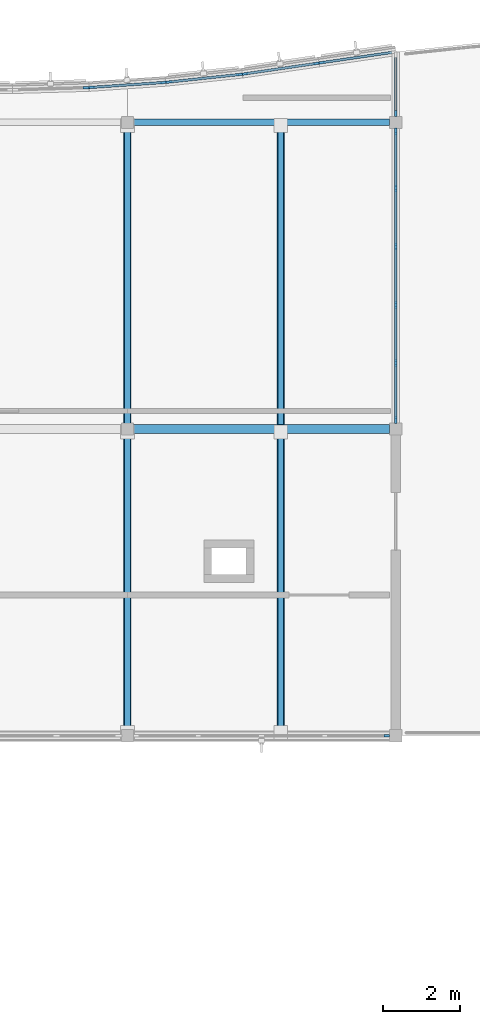
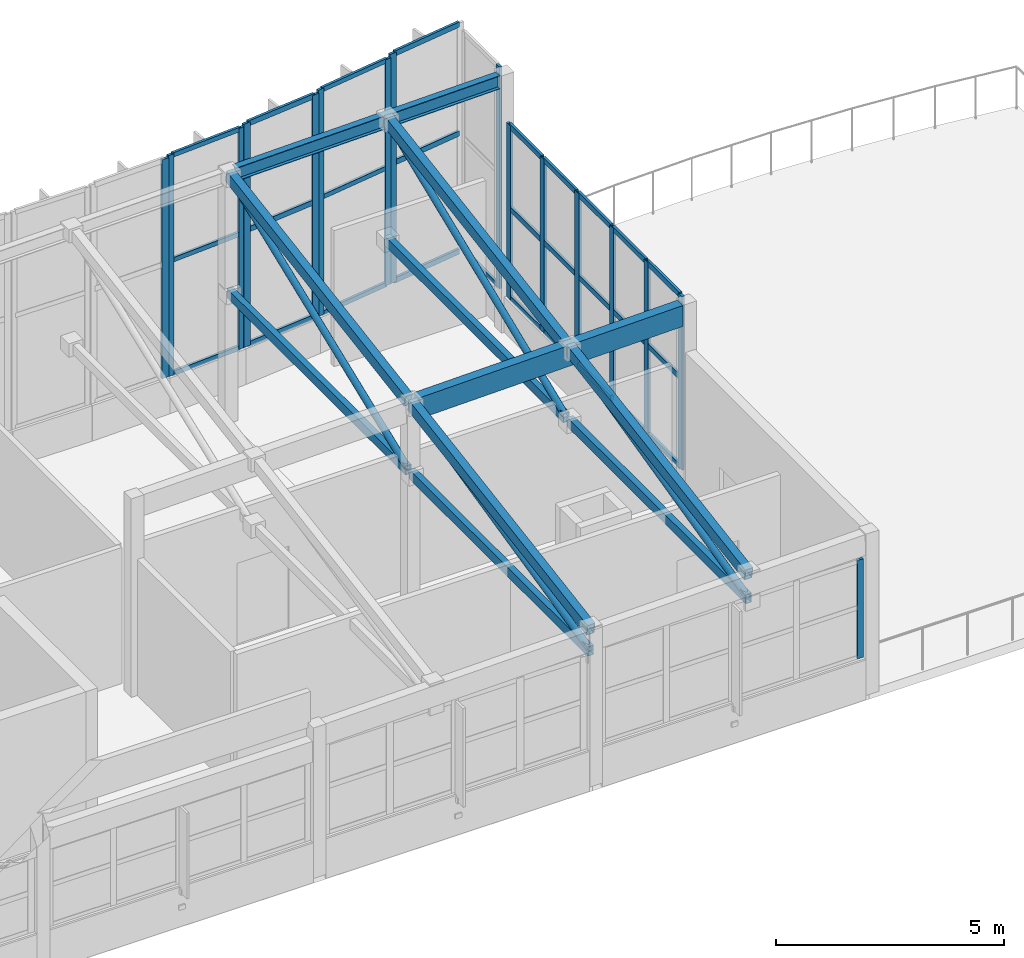
# One storey, part 12 of 33: 56 members, 2 beams, 8 elements without a shape of their own.
"""IFC4 building model written with IfcOpenShell, lengths in metres."""

from ifc_helpers import new_model, si_unit, direction, frame, origin, origin_2d, place, context, subcontext, project, spatial, rectangle, hollow_rectangle, hollow_circle, i_section, extrude, material, layer, layer_set, material_profile, profile_set, type_object, element, aggregate, save


model = new_model("IFC4")

# Units and contexts
model_context = context("Model", 3, precision=1e-05, world=origin(), true_north=direction((0.0, 1.0)))
body_context = subcontext(model_context, "Body", "Model", "MODEL_VIEW")
ifc_project = project(units=[si_unit("LENGTHUNIT", "METRE"), si_unit("AREAUNIT", "SQUARE_METRE"), si_unit("VOLUMEUNIT", "CUBIC_METRE"), si_unit("PLANEANGLEUNIT", "RADIAN"), si_unit("MASSUNIT", "GRAM", prefix="KILO")], contexts=[model_context])

# Site, building, storey
site_placement = place(None, origin())
site = spatial("IfcSite", under=ifc_project, at=site_placement, CompositionType="ELEMENT")
building_placement = place(site_placement, origin())
building = spatial("IfcBuilding", under=site, at=building_placement, Name="Tonlespit Floodbar School", CompositionType="ELEMENT")
storey_placement = place(building_placement, frame((0.0, 0.0, 16.199951171875)))
storey = spatial("IfcBuildingStorey", under=building, at=storey_placement, Name="L04", CompositionType="ELEMENT", Elevation=16.199951171875)

# Beam
ifc_material_1 = material(Name="Glulam GL28h", Category="wood")
ifc_material_profile_1 = material_profile(ifc_material_1, rectangle(XDim=0.239990234375, YDim=0.56005859375, at=origin_2d()), Name="GL 240x560")
ifc_profile_set_1 = profile_set([ifc_material_profile_1], Name="Glulam GL28h")
beam_type_1 = type_object("IfcBeamType", Name="Beam_GL_240x560", PredefinedType="BEAM", material=ifc_profile_set_1)
beam_1_placement = place(storey_placement, frame((141.159912109375, 112.0, 5.15185546875), z_axis=(0.999786121149, 0.0, 0.020681198179), x_axis=(0.0, 1.0, 0.0)))
element("IfcBeam", 1, at=beam_1_placement, inside=storey, type_object=beam_type_1, Name="L04 girder 1296", PredefinedType="BEAM", context=body_context, shape_type="SweptSolid", body=[
    extrude(rectangle(XDim=0.239990234375, YDim=0.56005859375, at=origin_2d()), origin(), (0.0, 0.0, 1.0), 6.681640625),
])

# Members
ifc_material_2 = material(Name="Steel S355", Category="steel")
ifc_material_profile_2 = material_profile(ifc_material_2, hollow_circle(Radius=0.084228515625, WallThickness=0.008056640625, at=origin_2d()), Name="CHS 168.3x8")
ifc_profile_set_2 = profile_set([ifc_material_profile_2], Name="Steel S355")
member_type_1 = type_object("IfcMemberType", Name="Brace_STL_CHS168", PredefinedType="BRACE", material=ifc_profile_set_2)
member_1_placement = place(storey_placement, frame((141.0, 104.1201171875, 3.47998046875), z_axis=(0.0, 0.974724527848, 0.223410149301), x_axis=(-1.0, 0.0, 0.0)))
element("IfcMember", 2, at=member_1_placement, inside=storey, type_object=member_type_1, Name="Northlight truss diagonal web 2-1", PredefinedType="BRACE", context=body_context, shape_type="SweptSolid", body=[
    extrude(hollow_circle(Radius=0.084228515625, WallThickness=0.008056640625, at=origin_2d()), origin(), (0.0, 0.0, 1.0), 7.9609375),
])
member_2_placement = place(storey_placement, frame((141.0, 112.1201171875, 3.47998046875), z_axis=(0.0, 0.930198351499, 0.367057252847), x_axis=(-1.0, 0.0, 0.0)))
element("IfcMember", 3, at=member_2_placement, inside=storey, type_object=member_type_1, Name="Northlight truss diagonal web 2-2", PredefinedType="BRACE", context=body_context, shape_type="SweptSolid", body=[
    extrude(hollow_circle(Radius=0.084228515625, WallThickness=0.008056640625, at=origin_2d()), origin(), (0.0, 0.0, 1.0), 8.342041015625),
])
member_3_placement = place(storey_placement, frame((145.0, 104.1201171875, 3.47998046875), z_axis=(0.0, 0.9724161765, 0.233252609163), x_axis=(-1.0, 0.0, 0.0)))
element("IfcMember", 4, at=member_3_placement, inside=storey, type_object=member_type_1, Name="Northlight truss diagonal web 3-1", PredefinedType="BRACE", context=body_context, shape_type="SweptSolid", body=[
    extrude(hollow_circle(Radius=0.084228515625, WallThickness=0.008056640625, at=origin_2d()), origin(), (0.0, 0.0, 1.0), 7.97998046875),
])
member_4_placement = place(storey_placement, frame((145.0, 112.1201171875, 3.47998046875), z_axis=(0.0, 0.926783987704, 0.375594781828), x_axis=(-1.0, 0.0, 0.0)))
element("IfcMember", 5, at=member_4_placement, inside=storey, type_object=member_type_1, Name="Northlight truss diagonal web 3-2", PredefinedType="BRACE", context=body_context, shape_type="SweptSolid", body=[
    extrude(hollow_circle(Radius=0.084228515625, WallThickness=0.008056640625, at=origin_2d()), origin(), (0.0, 0.0, 1.0), 8.372802734375),
])

# Curtain wall, members
ifc_material_3 = material(Name="Anodised Aluminium", Category="aluminium")
ifc_layer_1 = layer(ifc_material_3, 0.159912109375)
ifc_layer_set_1 = layer_set([ifc_layer_1], Name="Anodised Aluminium")
curtain_wall_type_1 = type_object("IfcCurtainWallType", Name="CurtainWall_1900x5900", PredefinedType="NOTDEFINED", material=ifc_layer_set_1)
curtain_wall_1_placement = place(storey_placement, origin())
curtain_wall_1 = element("IfcCurtainWall", 6, at=curtain_wall_1_placement, inside=storey, type_object=curtain_wall_type_1, Name="L04 unitised curtain wall 0486", PredefinedType="NOTDEFINED")
ifc_material_profile_3 = material_profile(ifc_material_3, rectangle(XDim=0.06494140625, YDim=0.14990234375, at=origin_2d()), Name="ALU M65x150")
ifc_profile_set_3 = profile_set([ifc_material_profile_3], Name="Anodised Aluminium")
member_type_2 = type_object("IfcMemberType", Name="CW_Mullion_65x150", PredefinedType="MULLION", material=ifc_profile_set_3)
member_5_placement = place(storey_placement, frame((140.072265625, 120.91552734375, 0.949951171875), z_axis=(0.0, 0.0, 1.0), x_axis=(-0.067339767311, 0.99773010165, 0.0)))
member_5 = element("IfcMember", 7, at=member_5_placement, type_object=member_type_2, Name="CW-71 mullion 1", PredefinedType="MULLION", context=body_context, shape_type="SweptSolid", body=[
    extrude(rectangle(XDim=0.06494140625, YDim=0.14990234375, at=origin_2d()), origin(), (0.0, 0.0, 1.0), 5.91748046875),
])
member_6_placement = place(storey_placement, frame((141.927734375, 121.040771484375, 0.949951171875), z_axis=(0.0, 0.0, 1.0), x_axis=(-0.067339767311, 0.99773010165, 0.0)))
member_6 = element("IfcMember", 8, at=member_6_placement, type_object=member_type_2, Name="CW-71 mullion 2", PredefinedType="MULLION", context=body_context, shape_type="SweptSolid", body=[
    extrude(rectangle(XDim=0.06494140625, YDim=0.14990234375, at=origin_2d()), origin(), (0.0, 0.0, 1.0), 5.91748046875),
])

ifc_layer_2 = layer(ifc_material_3, 0.159912109375)
ifc_layer_set_2 = layer_set([ifc_layer_2], Name="Anodised Aluminium")
curtain_wall_type_2 = type_object("IfcCurtainWallType", Name="CurtainWall_1950x6050", PredefinedType="NOTDEFINED", material=ifc_layer_set_2)
curtain_wall_2_placement = place(storey_placement, origin())
curtain_wall_2 = element("IfcCurtainWall", 9, at=curtain_wall_2_placement, inside=storey, type_object=curtain_wall_type_2, Name="L04 unitised curtain wall 0488", PredefinedType="NOTDEFINED")
member_7_placement = place(storey_placement, frame((144.07177734375, 121.268798828125, 0.949951171875), z_axis=(0.0, 0.0, 1.0), x_axis=(-0.144248041079, 0.989541561858, 0.0)))
member_7 = element("IfcMember", 10, at=member_7_placement, type_object=member_type_2, Name="CW-73 mullion 1", PredefinedType="MULLION", context=body_context, shape_type="SweptSolid", body=[
    extrude(rectangle(XDim=0.06494140625, YDim=0.14990234375, at=origin_2d()), origin(), (0.0, 0.0, 1.0), 6.055908203125),
])
member_8_placement = place(storey_placement, frame((145.92822265625, 121.53955078125, 0.949951171875), z_axis=(0.0, 0.0, 1.0), x_axis=(-0.144248041079, 0.989541561858, 0.0)))
member_8 = element("IfcMember", 11, at=member_8_placement, type_object=member_type_2, Name="CW-73 mullion 2", PredefinedType="MULLION", context=body_context, shape_type="SweptSolid", body=[
    extrude(rectangle(XDim=0.06494140625, YDim=0.14990234375, at=origin_2d()), origin(), (0.0, 0.0, 1.0), 6.055908203125),
])

# Curtain wall, member
ifc_layer_3 = layer(ifc_material_3, 0.159912109375)
ifc_layer_set_3 = layer_set([ifc_layer_3], Name="Anodised Aluminium")
curtain_wall_type_3 = type_object("IfcCurtainWallType", Name="CurtainWall_1600x5950", PredefinedType="NOTDEFINED", material=ifc_layer_set_3)
curtain_wall_3_placement = place(storey_placement, origin())
curtain_wall_3 = element("IfcCurtainWall", 12, at=curtain_wall_3_placement, inside=storey, type_object=curtain_wall_type_3, Name="L04 unitised curtain wall 0490", PredefinedType="NOTDEFINED")
member_9_placement = place(storey_placement, frame((148.0, 120.232421875, 0.949951171875), z_axis=(0.0, 0.0, 1.0), x_axis=(1.0, 0.0, 0.0)))
member_9 = element("IfcMember", 13, at=member_9_placement, type_object=member_type_2, Name="CW-75 mullion 2", PredefinedType="MULLION", context=body_context, shape_type="SweptSolid", body=[
    extrude(rectangle(XDim=0.06494140625, YDim=0.14990234375, at=origin_2d()), origin(), (0.0, 0.0, 1.0), 5.936767578125),
])

ifc_layer_4 = layer(ifc_material_3, 0.159912109375)
ifc_layer_set_4 = layer_set([ifc_layer_4], Name="Anodised Aluminium")
curtain_wall_type_4 = type_object("IfcCurtainWallType", Name="CurtainWall_6600x2650", PredefinedType="NOTDEFINED", material=ifc_layer_set_4)
curtain_wall_4_placement = place(storey_placement, origin())
curtain_wall_4 = element("IfcCurtainWall", 14, at=curtain_wall_4_placement, inside=storey, type_object=curtain_wall_type_4, Name="L04 unitised curtain wall 0492", PredefinedType="NOTDEFINED")
member_10_placement = place(storey_placement, frame((147.767578125, 104.0, 0.949951171875), z_axis=(0.0, 0.0, 1.0), x_axis=(0.0, -1.0, 0.0)))
member_10 = element("IfcMember", 15, at=member_10_placement, type_object=member_type_2, Name="CW-77 mullion 1", PredefinedType="MULLION", context=body_context, shape_type="SweptSolid", body=[
    extrude(rectangle(XDim=0.06494140625, YDim=0.14990234375, at=origin_2d()), origin(), (0.0, 0.0, 1.0), 2.638427734375),
])
aggregate(curtain_wall_4, [member_10])

ifc_layer_5 = layer(ifc_material_3, 0.159912109375)
ifc_layer_set_5 = layer_set([ifc_layer_5], Name="Anodised Aluminium")
curtain_wall_type_5 = type_object("IfcCurtainWallType", Name="CurtainWall_1900x5850", PredefinedType="NOTDEFINED", material=ifc_layer_set_5)
curtain_wall_5_placement = place(storey_placement, origin())
curtain_wall_5 = element("IfcCurtainWall", 16, at=curtain_wall_5_placement, inside=storey, type_object=curtain_wall_type_5, Name="L04 unitised curtain wall 0485", PredefinedType="NOTDEFINED")
ifc_material_profile_4 = material_profile(ifc_material_3, rectangle(XDim=0.06494140625, YDim=0.179931640625, at=origin_2d()), Name="ALU M65x180")
ifc_profile_set_4 = profile_set([ifc_material_profile_4], Name="Anodised Aluminium")
member_type_3 = type_object("IfcMemberType", Name="CW_Mullion_65x180", PredefinedType="MULLION", material=ifc_profile_set_4)
member_11_placement = place(storey_placement, frame((139.927490234375, 120.908447265625, 0.949951171875), z_axis=(0.0, 0.0, 1.0), x_axis=(-0.028790144226, 0.999585477883, 0.0)))
member_11 = element("IfcMember", 17, at=member_11_placement, type_object=member_type_3, Name="CW-70 mullion 2", PredefinedType="MULLION", context=body_context, shape_type="SweptSolid", body=[
    extrude(rectangle(XDim=0.06494140625, YDim=0.179931640625, at=origin_2d()), origin(), (0.0, 0.0, 1.0), 5.86669921875),
])
aggregate(curtain_wall_5, [member_11])

# Curtain wall, members
ifc_layer_6 = layer(ifc_material_3, 0.159912109375)
ifc_layer_set_6 = layer_set([ifc_layer_6], Name="Anodised Aluminium")
curtain_wall_type_6 = type_object("IfcCurtainWallType", Name="CurtainWall_1950x6000", PredefinedType="NOTDEFINED", material=ifc_layer_set_6)
curtain_wall_6_placement = place(storey_placement, origin())
curtain_wall_6 = element("IfcCurtainWall", 18, at=curtain_wall_6_placement, inside=storey, type_object=curtain_wall_type_6, Name="L04 unitised curtain wall 0487", PredefinedType="NOTDEFINED")
member_12_placement = place(storey_placement, frame((142.072021484375, 121.05322265625, 0.949951171875), z_axis=(0.0, 0.0, 1.0), x_axis=(-0.105787143968, 0.994388797288, 0.0)))
member_12 = element("IfcMember", 19, at=member_12_placement, type_object=member_type_3, Name="CW-72 mullion 1", PredefinedType="MULLION", context=body_context, shape_type="SweptSolid", body=[
    extrude(rectangle(XDim=0.06494140625, YDim=0.179931640625, at=origin_2d()), origin(), (0.0, 0.0, 1.0), 5.98046875),
])
member_13_placement = place(storey_placement, frame((143.927978515625, 121.250732421875, 0.949951171875), z_axis=(0.0, 0.0, 1.0), x_axis=(-0.105787143968, 0.994388797288, 0.0)))
member_13 = element("IfcMember", 20, at=member_13_placement, type_object=member_type_3, Name="CW-72 mullion 2", PredefinedType="MULLION", context=body_context, shape_type="SweptSolid", body=[
    extrude(rectangle(XDim=0.06494140625, YDim=0.179931640625, at=origin_2d()), origin(), (0.0, 0.0, 1.0), 5.98046875),
])

# Curtain wall, member
ifc_layer_7 = layer(ifc_material_3, 0.159912109375)
ifc_layer_set_7 = layer_set([ifc_layer_7], Name="Anodised Aluminium")
curtain_wall_type_7 = type_object("IfcCurtainWallType", Name="CurtainWall_1950x6150", PredefinedType="NOTDEFINED", material=ifc_layer_set_7)
curtain_wall_7_placement = place(storey_placement, origin())
curtain_wall_7 = element("IfcCurtainWall", 21, at=curtain_wall_7_placement, inside=storey, type_object=curtain_wall_type_7, Name="L04 unitised curtain wall 0489", PredefinedType="NOTDEFINED")
member_14_placement = place(storey_placement, frame((146.07177734375, 121.560546875, 0.949951171875), z_axis=(0.0, 0.0, 1.0), x_axis=(-0.144248041079, 0.989541561858, 0.0)))
member_14 = element("IfcMember", 22, at=member_14_placement, type_object=member_type_3, Name="CW-74 mullion 1", PredefinedType="MULLION", context=body_context, shape_type="SweptSolid", body=[
    extrude(rectangle(XDim=0.06494140625, YDim=0.179931640625, at=origin_2d()), origin(), (0.0, 0.0, 1.0), 6.14404296875),
])

# Curtain wall, members
ifc_layer_8 = layer(ifc_material_3, 0.159912109375)
ifc_layer_set_8 = layer_set([ifc_layer_8], Name="Anodised Aluminium")
curtain_wall_type_8 = type_object("IfcCurtainWallType", Name="CurtainWall_7600x4650", PredefinedType="NOTDEFINED", material=ifc_layer_set_8)
curtain_wall_8_placement = place(storey_placement, origin())
curtain_wall_8 = element("IfcCurtainWall", 23, at=curtain_wall_8_placement, inside=storey, type_object=curtain_wall_type_8, Name="L04 unitised curtain wall 0491", PredefinedType="NOTDEFINED")
member_15_placement = place(storey_placement, frame((148.0, 119.767578125, 0.949951171875), z_axis=(0.0, 0.0, 1.0), x_axis=(1.0, 0.0, 0.0)))
member_15 = element("IfcMember", 24, at=member_15_placement, type_object=member_type_3, Name="CW-76 mullion 1", PredefinedType="MULLION", context=body_context, shape_type="SweptSolid", body=[
    extrude(rectangle(XDim=0.06494140625, YDim=0.179931640625, at=origin_2d()), origin(), (0.0, 0.0, 1.0), 4.6533203125),
])
member_16_placement = place(storey_placement, frame((148.0, 118.280029296875, 0.949951171875), z_axis=(0.0, 0.0, 1.0), x_axis=(1.0, 0.0, 0.0)))
member_16 = element("IfcMember", 25, at=member_16_placement, type_object=member_type_3, Name="CW-76 mullion 2", PredefinedType="MULLION", context=body_context, shape_type="SweptSolid", body=[
    extrude(rectangle(XDim=0.06494140625, YDim=0.179931640625, at=origin_2d()), origin(), (0.0, 0.0, 1.0), 4.6533203125),
])
member_17_placement = place(storey_placement, frame((148.0, 116.760009765625, 0.949951171875), z_axis=(0.0, 0.0, 1.0), x_axis=(1.0, 0.0, 0.0)))
member_17 = element("IfcMember", 26, at=member_17_placement, type_object=member_type_3, Name="CW-76 mullion 3", PredefinedType="MULLION", context=body_context, shape_type="SweptSolid", body=[
    extrude(rectangle(XDim=0.06494140625, YDim=0.179931640625, at=origin_2d()), origin(), (0.0, 0.0, 1.0), 4.6533203125),
])
member_18_placement = place(storey_placement, frame((148.0, 115.239990234375, 0.949951171875), z_axis=(0.0, 0.0, 1.0), x_axis=(1.0, 0.0, 0.0)))
member_18 = element("IfcMember", 27, at=member_18_placement, type_object=member_type_3, Name="CW-76 mullion 4", PredefinedType="MULLION", context=body_context, shape_type="SweptSolid", body=[
    extrude(rectangle(XDim=0.06494140625, YDim=0.179931640625, at=origin_2d()), origin(), (0.0, 0.0, 1.0), 4.6533203125),
])
member_19_placement = place(storey_placement, frame((148.0, 113.719970703125, 0.949951171875), z_axis=(0.0, 0.0, 1.0), x_axis=(1.0, 0.0, 0.0)))
member_19 = element("IfcMember", 28, at=member_19_placement, type_object=member_type_3, Name="CW-76 mullion 5", PredefinedType="MULLION", context=body_context, shape_type="SweptSolid", body=[
    extrude(rectangle(XDim=0.06494140625, YDim=0.179931640625, at=origin_2d()), origin(), (0.0, 0.0, 1.0), 4.6533203125),
])
member_20_placement = place(storey_placement, frame((148.0, 112.232421875, 0.949951171875), z_axis=(0.0, 0.0, 1.0), x_axis=(1.0, 0.0, 0.0)))
member_20 = element("IfcMember", 29, at=member_20_placement, type_object=member_type_3, Name="CW-76 mullion 6", PredefinedType="MULLION", context=body_context, shape_type="SweptSolid", body=[
    extrude(rectangle(XDim=0.06494140625, YDim=0.179931640625, at=origin_2d()), origin(), (0.0, 0.0, 1.0), 4.6533203125),
])

# Member
ifc_material_profile_5 = material_profile(ifc_material_3, rectangle(XDim=0.06494140625, YDim=0.1201171875, at=origin_2d()), Name="ALU T65x120")
ifc_profile_set_5 = profile_set([ifc_material_profile_5], Name="Anodised Aluminium")
member_type_4 = type_object("IfcMemberType", Name="CW_Transom_65x120", PredefinedType="USERDEFINED", material=ifc_profile_set_5)
member_21_placement = place(storey_placement, frame((140.104736328125, 120.917724609375, 0.982666015625), z_axis=(0.997730041674, 0.067340655935, 0.0), x_axis=(-0.067340655935, 0.997730041674, 0.0)))
member_21 = element("IfcMember", 30, at=member_21_placement, type_object=member_type_4, Name="CW-71 transom 1.1", ObjectType="TRANSOM", PredefinedType="USERDEFINED", context=body_context, shape_type="SweptSolid", body=[
    extrude(rectangle(XDim=0.06494140625, YDim=0.1201171875, at=origin_2d()), origin(), (0.0, 0.0, 1.0), 1.794677734375),
])

member_22_placement = place(storey_placement, frame((140.104736328125, 120.917724609375, 4.027099609375), z_axis=(0.997730041674, 0.067340655935, 0.0), x_axis=(-0.067340655935, 0.997730041674, 0.0)))
member_22 = element("IfcMember", 31, at=member_22_placement, type_object=member_type_4, Name="CW-71 transom 1.2", ObjectType="TRANSOM", PredefinedType="USERDEFINED", context=body_context, shape_type="SweptSolid", body=[
    extrude(rectangle(XDim=0.06494140625, YDim=0.1201171875, at=origin_2d()), origin(), (0.0, 0.0, 1.0), 1.794677734375),
])

member_23_placement = place(storey_placement, frame((140.104736328125, 120.917724609375, 6.8349609375), z_axis=(0.997730041674, 0.067340655935, 0.0), x_axis=(-0.067340655935, 0.997730041674, 0.0)))
member_23 = element("IfcMember", 32, at=member_23_placement, type_object=member_type_4, Name="CW-71 transom 1.3", ObjectType="TRANSOM", PredefinedType="USERDEFINED", context=body_context, shape_type="SweptSolid", body=[
    extrude(rectangle(XDim=0.06494140625, YDim=0.1201171875, at=origin_2d()), origin(), (0.0, 0.0, 1.0), 1.794677734375),
])

aggregate(curtain_wall_1, [member_5, member_6, member_21, member_22, member_23])

member_24_placement = place(storey_placement, frame((144.10400390625, 121.273681640625, 0.982666015625), z_axis=(0.989541000818, 0.144251889765, 0.0), x_axis=(-0.144251889765, 0.989541000818, 0.0)))
member_24 = element("IfcMember", 33, at=member_24_placement, type_object=member_type_4, Name="CW-73 transom 1.1", ObjectType="TRANSOM", PredefinedType="USERDEFINED", context=body_context, shape_type="SweptSolid", body=[
    extrude(rectangle(XDim=0.06494140625, YDim=0.1201171875, at=origin_2d()), origin(), (0.0, 0.0, 1.0), 1.81103515625),
])

member_25_placement = place(storey_placement, frame((144.10400390625, 121.273681640625, 4.09912109375), z_axis=(0.989541000818, 0.144251889765, 0.0), x_axis=(-0.144251889765, 0.989541000818, 0.0)))
member_25 = element("IfcMember", 34, at=member_25_placement, type_object=member_type_4, Name="CW-73 transom 1.2", ObjectType="TRANSOM", PredefinedType="USERDEFINED", context=body_context, shape_type="SweptSolid", body=[
    extrude(rectangle(XDim=0.06494140625, YDim=0.1201171875, at=origin_2d()), origin(), (0.0, 0.0, 1.0), 1.81103515625),
])

member_26_placement = place(storey_placement, frame((144.10400390625, 121.273681640625, 6.973388671875), z_axis=(0.989541000818, 0.144251889765, 0.0), x_axis=(-0.144251889765, 0.989541000818, 0.0)))
member_26 = element("IfcMember", 35, at=member_26_placement, type_object=member_type_4, Name="CW-73 transom 1.3", ObjectType="TRANSOM", PredefinedType="USERDEFINED", context=body_context, shape_type="SweptSolid", body=[
    extrude(rectangle(XDim=0.06494140625, YDim=0.1201171875, at=origin_2d()), origin(), (0.0, 0.0, 1.0), 1.81103515625),
])

aggregate(curtain_wall_2, [member_7, member_8, member_24, member_25, member_26])

member_27_placement = place(storey_placement, frame((148.0, 121.736572265625, 0.982666015625), z_axis=(0.0, -1.0, 0.0), x_axis=(1.0, 0.0, 0.0)))
member_27 = element("IfcMember", 36, at=member_27_placement, type_object=member_type_4, Name="CW-75 transom 1.1", ObjectType="TRANSOM", PredefinedType="USERDEFINED", context=body_context, shape_type="SweptSolid", body=[
    extrude(rectangle(XDim=0.06494140625, YDim=0.1201171875, at=origin_2d()), origin(), (0.0, 0.0, 1.0), 1.4716796875),
])

aggregate(curtain_wall_3, [member_9, member_27])

ifc_material_profile_6 = material_profile(ifc_material_3, rectangle(XDim=0.06494140625, YDim=0.139892578125, at=origin_2d()), Name="ALU T65x140")
ifc_profile_set_6 = profile_set([ifc_material_profile_6], Name="Anodised Aluminium")
member_type_5 = type_object("IfcMemberType", Name="CW_Transom_65x140", PredefinedType="USERDEFINED", material=ifc_profile_set_6)
member_28_placement = place(storey_placement, frame((142.1044921875, 121.056884765625, 0.982666015625), z_axis=(0.994394979136, 0.105729019047, 0.0), x_axis=(-0.105729019047, 0.994394979136, 0.0)))
member_28 = element("IfcMember", 37, at=member_28_placement, type_object=member_type_5, Name="CW-72 transom 1.1", ObjectType="TRANSOM", PredefinedType="USERDEFINED", context=body_context, shape_type="SweptSolid", body=[
    extrude(rectangle(XDim=0.06494140625, YDim=0.139892578125, at=origin_2d()), origin(), (0.0, 0.0, 1.0), 1.801025390625),
])

member_29_placement = place(storey_placement, frame((142.1044921875, 121.056884765625, 4.059814453125), z_axis=(0.994394979136, 0.105729019047, 0.0), x_axis=(-0.105729019047, 0.994394979136, 0.0)))
member_29 = element("IfcMember", 38, at=member_29_placement, type_object=member_type_5, Name="CW-72 transom 1.2", ObjectType="TRANSOM", PredefinedType="USERDEFINED", context=body_context, shape_type="SweptSolid", body=[
    extrude(rectangle(XDim=0.06494140625, YDim=0.139892578125, at=origin_2d()), origin(), (0.0, 0.0, 1.0), 1.801025390625),
])

member_30_placement = place(storey_placement, frame((142.1044921875, 121.056884765625, 6.89794921875), z_axis=(0.994394979136, 0.105729019047, 0.0), x_axis=(-0.105729019047, 0.994394979136, 0.0)))
member_30 = element("IfcMember", 39, at=member_30_placement, type_object=member_type_5, Name="CW-72 transom 1.3", ObjectType="TRANSOM", PredefinedType="USERDEFINED", context=body_context, shape_type="SweptSolid", body=[
    extrude(rectangle(XDim=0.06494140625, YDim=0.139892578125, at=origin_2d()), origin(), (0.0, 0.0, 1.0), 1.801025390625),
])

aggregate(curtain_wall_6, [member_12, member_13, member_28, member_29, member_30])

member_31_placement = place(storey_placement, frame((146.10400390625, 121.565185546875, 0.982666015625), z_axis=(0.989541000818, 0.144251889765, 0.0), x_axis=(-0.144251889765, 0.989541000818, 0.0)))
member_31 = element("IfcMember", 40, at=member_31_placement, type_object=member_type_5, Name="CW-74 transom 1.1", ObjectType="TRANSOM", PredefinedType="USERDEFINED", context=body_context, shape_type="SweptSolid", body=[
    extrude(rectangle(XDim=0.06494140625, YDim=0.139892578125, at=origin_2d()), origin(), (0.0, 0.0, 1.0), 1.81103515625),
])

member_32_placement = place(storey_placement, frame((146.10400390625, 121.565185546875, 4.14501953125), z_axis=(0.989541000818, 0.144251889765, 0.0), x_axis=(-0.144251889765, 0.989541000818, 0.0)))
member_32 = element("IfcMember", 41, at=member_32_placement, type_object=member_type_5, Name="CW-74 transom 1.2", ObjectType="TRANSOM", PredefinedType="USERDEFINED", context=body_context, shape_type="SweptSolid", body=[
    extrude(rectangle(XDim=0.06494140625, YDim=0.139892578125, at=origin_2d()), origin(), (0.0, 0.0, 1.0), 1.81103515625),
])

member_33_placement = place(storey_placement, frame((146.10400390625, 121.565185546875, 7.0615234375), z_axis=(0.989541000818, 0.144251889765, 0.0), x_axis=(-0.144251889765, 0.989541000818, 0.0)))
member_33 = element("IfcMember", 42, at=member_33_placement, type_object=member_type_5, Name="CW-74 transom 1.3", ObjectType="TRANSOM", PredefinedType="USERDEFINED", context=body_context, shape_type="SweptSolid", body=[
    extrude(rectangle(XDim=0.06494140625, YDim=0.139892578125, at=origin_2d()), origin(), (0.0, 0.0, 1.0), 1.81103515625),
])

aggregate(curtain_wall_7, [member_14, member_31, member_32, member_33])

member_34_placement = place(storey_placement, frame((148.0, 119.735107421875, 0.982666015625), z_axis=(0.0, -1.0, 0.0), x_axis=(1.0, 0.0, 0.0)))
member_34 = element("IfcMember", 43, at=member_34_placement, type_object=member_type_5, Name="CW-76 transom 1.1", ObjectType="TRANSOM", PredefinedType="USERDEFINED", context=body_context, shape_type="SweptSolid", body=[
    extrude(rectangle(XDim=0.06494140625, YDim=0.139892578125, at=origin_2d()), origin(), (0.0, 0.0, 1.0), 1.422607421875),
])

member_35_placement = place(storey_placement, frame((148.0, 119.735107421875, 3.36962890625), z_axis=(0.0, -1.0, 0.0), x_axis=(1.0, 0.0, 0.0)))
member_35 = element("IfcMember", 44, at=member_35_placement, type_object=member_type_5, Name="CW-76 transom 1.2", ObjectType="TRANSOM", PredefinedType="USERDEFINED", context=body_context, shape_type="SweptSolid", body=[
    extrude(rectangle(XDim=0.06494140625, YDim=0.139892578125, at=origin_2d()), origin(), (0.0, 0.0, 1.0), 1.422607421875),
])

member_36_placement = place(storey_placement, frame((148.0, 119.735107421875, 5.57080078125), z_axis=(0.0, -1.0, 0.0), x_axis=(1.0, 0.0, 0.0)))
member_36 = element("IfcMember", 45, at=member_36_placement, type_object=member_type_5, Name="CW-76 transom 1.3", ObjectType="TRANSOM", PredefinedType="USERDEFINED", context=body_context, shape_type="SweptSolid", body=[
    extrude(rectangle(XDim=0.06494140625, YDim=0.139892578125, at=origin_2d()), origin(), (0.0, 0.0, 1.0), 1.422607421875),
])

member_37_placement = place(storey_placement, frame((148.0, 118.24755859375, 0.982666015625), z_axis=(0.0, -1.0, 0.0), x_axis=(1.0, 0.0, 0.0)))
member_37 = element("IfcMember", 46, at=member_37_placement, type_object=member_type_5, Name="CW-76 transom 2.1", ObjectType="TRANSOM", PredefinedType="USERDEFINED", context=body_context, shape_type="SweptSolid", body=[
    extrude(rectangle(XDim=0.06494140625, YDim=0.139892578125, at=origin_2d()), origin(), (0.0, 0.0, 1.0), 1.455078125),
])

member_38_placement = place(storey_placement, frame((148.0, 118.24755859375, 3.36962890625), z_axis=(0.0, -1.0, 0.0), x_axis=(1.0, 0.0, 0.0)))
member_38 = element("IfcMember", 47, at=member_38_placement, type_object=member_type_5, Name="CW-76 transom 2.2", ObjectType="TRANSOM", PredefinedType="USERDEFINED", context=body_context, shape_type="SweptSolid", body=[
    extrude(rectangle(XDim=0.06494140625, YDim=0.139892578125, at=origin_2d()), origin(), (0.0, 0.0, 1.0), 1.455078125),
])

member_39_placement = place(storey_placement, frame((148.0, 118.24755859375, 5.57080078125), z_axis=(0.0, -1.0, 0.0), x_axis=(1.0, 0.0, 0.0)))
member_39 = element("IfcMember", 48, at=member_39_placement, type_object=member_type_5, Name="CW-76 transom 2.3", ObjectType="TRANSOM", PredefinedType="USERDEFINED", context=body_context, shape_type="SweptSolid", body=[
    extrude(rectangle(XDim=0.06494140625, YDim=0.139892578125, at=origin_2d()), origin(), (0.0, 0.0, 1.0), 1.455078125),
])

member_40_placement = place(storey_placement, frame((148.0, 116.7275390625, 0.982666015625), z_axis=(0.0, -1.0, 0.0), x_axis=(1.0, 0.0, 0.0)))
member_40 = element("IfcMember", 49, at=member_40_placement, type_object=member_type_5, Name="CW-76 transom 3.1", ObjectType="TRANSOM", PredefinedType="USERDEFINED", context=body_context, shape_type="SweptSolid", body=[
    extrude(rectangle(XDim=0.06494140625, YDim=0.139892578125, at=origin_2d()), origin(), (0.0, 0.0, 1.0), 1.455078125),
])

member_41_placement = place(storey_placement, frame((148.0, 116.7275390625, 3.36962890625), z_axis=(0.0, -1.0, 0.0), x_axis=(1.0, 0.0, 0.0)))
member_41 = element("IfcMember", 50, at=member_41_placement, type_object=member_type_5, Name="CW-76 transom 3.2", ObjectType="TRANSOM", PredefinedType="USERDEFINED", context=body_context, shape_type="SweptSolid", body=[
    extrude(rectangle(XDim=0.06494140625, YDim=0.139892578125, at=origin_2d()), origin(), (0.0, 0.0, 1.0), 1.455078125),
])

member_42_placement = place(storey_placement, frame((148.0, 116.7275390625, 5.57080078125), z_axis=(0.0, -1.0, 0.0), x_axis=(1.0, 0.0, 0.0)))
member_42 = element("IfcMember", 51, at=member_42_placement, type_object=member_type_5, Name="CW-76 transom 3.3", ObjectType="TRANSOM", PredefinedType="USERDEFINED", context=body_context, shape_type="SweptSolid", body=[
    extrude(rectangle(XDim=0.06494140625, YDim=0.139892578125, at=origin_2d()), origin(), (0.0, 0.0, 1.0), 1.455078125),
])

member_43_placement = place(storey_placement, frame((148.0, 115.20751953125, 0.982666015625), z_axis=(0.0, -1.0, 0.0), x_axis=(1.0, 0.0, 0.0)))
member_43 = element("IfcMember", 52, at=member_43_placement, type_object=member_type_5, Name="CW-76 transom 4.1", ObjectType="TRANSOM", PredefinedType="USERDEFINED", context=body_context, shape_type="SweptSolid", body=[
    extrude(rectangle(XDim=0.06494140625, YDim=0.139892578125, at=origin_2d()), origin(), (0.0, 0.0, 1.0), 1.455078125),
])

member_44_placement = place(storey_placement, frame((148.0, 115.20751953125, 3.36962890625), z_axis=(0.0, -1.0, 0.0), x_axis=(1.0, 0.0, 0.0)))
member_44 = element("IfcMember", 53, at=member_44_placement, type_object=member_type_5, Name="CW-76 transom 4.2", ObjectType="TRANSOM", PredefinedType="USERDEFINED", context=body_context, shape_type="SweptSolid", body=[
    extrude(rectangle(XDim=0.06494140625, YDim=0.139892578125, at=origin_2d()), origin(), (0.0, 0.0, 1.0), 1.455078125),
])

member_45_placement = place(storey_placement, frame((148.0, 115.20751953125, 5.57080078125), z_axis=(0.0, -1.0, 0.0), x_axis=(1.0, 0.0, 0.0)))
member_45 = element("IfcMember", 54, at=member_45_placement, type_object=member_type_5, Name="CW-76 transom 4.3", ObjectType="TRANSOM", PredefinedType="USERDEFINED", context=body_context, shape_type="SweptSolid", body=[
    extrude(rectangle(XDim=0.06494140625, YDim=0.139892578125, at=origin_2d()), origin(), (0.0, 0.0, 1.0), 1.455078125),
])

member_46_placement = place(storey_placement, frame((148.0, 113.6875, 0.982666015625), z_axis=(0.0, -1.0, 0.0), x_axis=(1.0, 0.0, 0.0)))
member_46 = element("IfcMember", 55, at=member_46_placement, type_object=member_type_5, Name="CW-76 transom 5.1", ObjectType="TRANSOM", PredefinedType="USERDEFINED", context=body_context, shape_type="SweptSolid", body=[
    extrude(rectangle(XDim=0.06494140625, YDim=0.139892578125, at=origin_2d()), origin(), (0.0, 0.0, 1.0), 1.422607421875),
])

member_47_placement = place(storey_placement, frame((148.0, 113.6875, 3.36962890625), z_axis=(0.0, -1.0, 0.0), x_axis=(1.0, 0.0, 0.0)))
member_47 = element("IfcMember", 56, at=member_47_placement, type_object=member_type_5, Name="CW-76 transom 5.2", ObjectType="TRANSOM", PredefinedType="USERDEFINED", context=body_context, shape_type="SweptSolid", body=[
    extrude(rectangle(XDim=0.06494140625, YDim=0.139892578125, at=origin_2d()), origin(), (0.0, 0.0, 1.0), 1.422607421875),
])

member_48_placement = place(storey_placement, frame((148.0, 113.6875, 5.57080078125), z_axis=(0.0, -1.0, 0.0), x_axis=(1.0, 0.0, 0.0)))
member_48 = element("IfcMember", 57, at=member_48_placement, type_object=member_type_5, Name="CW-76 transom 5.3", ObjectType="TRANSOM", PredefinedType="USERDEFINED", context=body_context, shape_type="SweptSolid", body=[
    extrude(rectangle(XDim=0.06494140625, YDim=0.139892578125, at=origin_2d()), origin(), (0.0, 0.0, 1.0), 1.422607421875),
])

aggregate(curtain_wall_8, [member_15, member_16, member_17, member_18, member_19, member_20, member_34, member_35, member_36, member_37, member_38, member_39, member_40, member_41, member_42, member_43, member_44, member_45, member_46, member_47, member_48])

# Members
ifc_material_profile_7 = material_profile(ifc_material_2, hollow_rectangle(XDim=0.14990234375, YDim=0.25, WallThickness=0.010009765625, at=origin_2d()), Name="RHS 250x150x10")
ifc_profile_set_7 = profile_set([ifc_material_profile_7], Name="Steel S355")
member_type_6 = type_object("IfcMemberType", Name="Chord_STL_RHS250", PredefinedType="CHORD", material=ifc_profile_set_7)
for number, where, z_axis, x_axis, name in (
    (58, (141.0, 104.080078125, 3.449951171875), (0.0, 1.0, 0.0), (-1.0, 0.0, 0.0), "Northlight truss bottom chord 2-1"),
    (59, (141.0, 112.080078125, 3.449951171875), (0.0, 1.0, 0.0), (-1.0, 0.0, 0.0), "Northlight truss bottom chord 2-2"),
    (60, (145.0, 104.080078125, 3.449951171875), (0.0, 1.0, 0.0), (-1.0, 0.0, 0.0), "Northlight truss bottom chord 3-1"),
    (61, (145.0, 112.080078125, 3.449951171875), (0.0, 1.0, 0.0), (-1.0, 0.0, 0.0), "Northlight truss bottom chord 3-2"),
):
    element("IfcMember", number, at=place(storey_placement, frame(where, z_axis=z_axis, x_axis=x_axis)), inside=storey, type_object=member_type_6, Name=name, PredefinedType="CHORD", context=body_context, shape_type="SweptSolid", body=[
        extrude(hollow_rectangle(XDim=0.14990234375, YDim=0.25, WallThickness=0.010009765625, at=origin_2d()), origin(), (0.0, 0.0, 1.0), 7.83984375),
    ])
ifc_material_profile_8 = material_profile(ifc_material_2, hollow_rectangle(XDim=0.199951171875, YDim=0.300048828125, WallThickness=0.011962890625, at=origin_2d()), Name="RHS 300x200x12")
ifc_profile_set_8 = profile_set([ifc_material_profile_8], Name="Steel S355")
member_type_7 = type_object("IfcMemberType", Name="Chord_STL_RHS300", PredefinedType="CHORD", material=ifc_profile_set_8)
for number, where, z_axis, x_axis, name in (
    (62, (141.0, 104.080078125, 4.025146484375), (0.0, 0.986863271212, 0.161557679894), (-1.0, 0.0, 0.0), "Northlight truss top chord 2-1"),
    (63, (141.0, 112.080078125, 5.30859375), (0.0, 0.986863271212, 0.161557679894), (-1.0, 0.0, 0.0), "Northlight truss top chord 2-2"),
    (64, (145.0, 104.080078125, 4.10791015625), (0.0, 0.986863271212, 0.161557679894), (-1.0, 0.0, 0.0), "Northlight truss top chord 3-1"),
    (65, (145.0, 112.080078125, 5.391357421875), (0.0, 0.986863271212, 0.161557679894), (-1.0, 0.0, 0.0), "Northlight truss top chord 3-2"),
):
    element("IfcMember", number, at=place(storey_placement, frame(where, z_axis=z_axis, x_axis=x_axis)), inside=storey, type_object=member_type_7, Name=name, PredefinedType="CHORD", context=body_context, shape_type="SweptSolid", body=[
        extrude(hollow_rectangle(XDim=0.199951171875, YDim=0.300048828125, WallThickness=0.011962890625, at=origin_2d()), origin(), (0.0, 0.0, 1.0), 7.944091796875),
    ])

# Beam
ifc_material_profile_9 = material_profile(ifc_material_2, i_section(OverallWidth=0.169921875, OverallDepth=0.360107421875, WebThickness=0.008056640625, FlangeThickness=0.0126953125, at=origin_2d()), Name="IPE 360")
ifc_profile_set_9 = profile_set([ifc_material_profile_9], Name="Steel S355")
beam_type_2 = type_object("IfcBeamType", Name="Spandrel_STL_IPE360", PredefinedType="SPANDREL", material=ifc_profile_set_9)
beam_2_placement = place(storey_placement, frame((141.159912109375, 120.0, 6.53515625), z_axis=(0.999786121149, 0.0, 0.020681198179), x_axis=(0.0, 1.0, 0.0)))
element("IfcBeam", 66, at=beam_2_placement, inside=storey, type_object=beam_type_2, Name="L04 girder 1308", PredefinedType="SPANDREL", context=body_context, shape_type="SweptSolid", body=[
    extrude(i_section(OverallWidth=0.169921875, OverallDepth=0.360107421875, WebThickness=0.008056640625, FlangeThickness=0.0126953125, at=origin_2d()), origin(), (0.0, 0.0, 1.0), 6.681640625),
])

save(model, "model.ifc")
